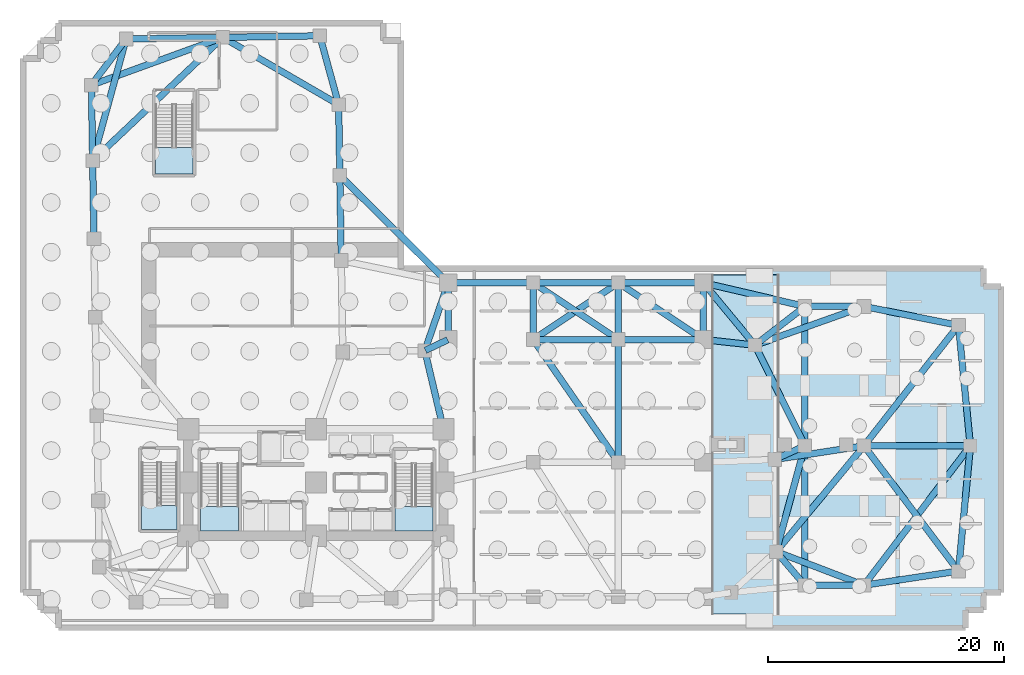
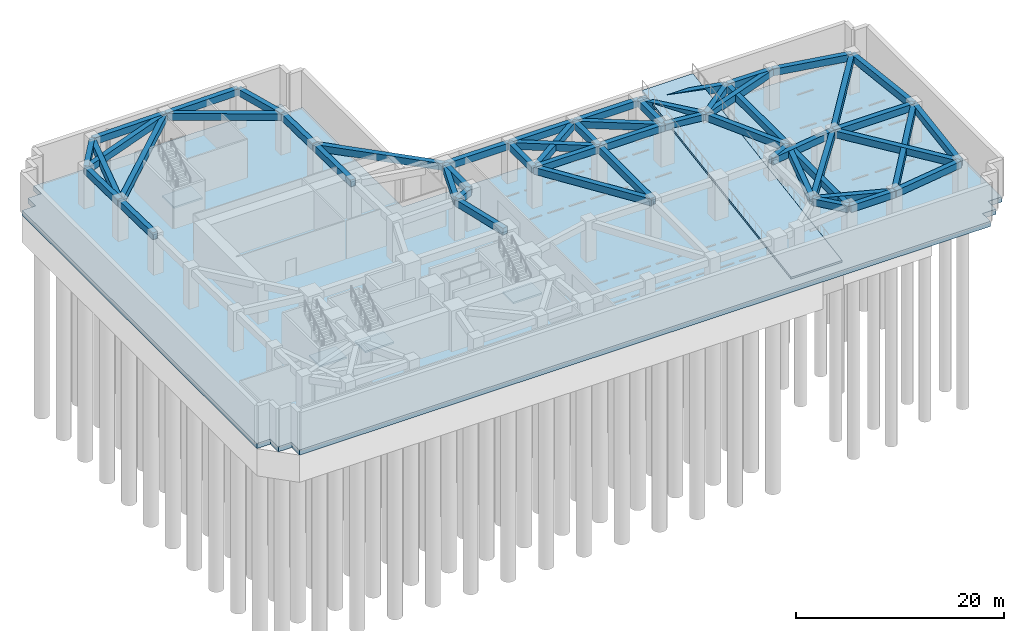
# One storey, part 3 of 11: 54 beams, 6 slabs, 4 elements without a shape of their own.
"""IFC4 building model written with IfcOpenShell, lengths in metres."""

from ifc_helpers import new_model, si_unit, direction, frame, origin, origin_2d, place, context, subcontext, project, spatial, polyline, rectangle, outline, extrude, material, layer, layer_set, material_profile, profile_set, type_object, element, aggregate, save


model = new_model("IFC4")

# Units and contexts
model_context = context("Model", 3, precision=1e-05, world=origin(), true_north=direction((0.0, 1.0)))
body_context = subcontext(model_context, "Body", "Model", "MODEL_VIEW")
ifc_project = project(units=[si_unit("LENGTHUNIT", "METRE"), si_unit("AREAUNIT", "SQUARE_METRE"), si_unit("VOLUMEUNIT", "CUBIC_METRE"), si_unit("PLANEANGLEUNIT", "RADIAN"), si_unit("MASSUNIT", "GRAM", prefix="KILO")], contexts=[model_context])

# Site, building, storey
site_placement = place(None, origin())
site = spatial("IfcSite", under=ifc_project, at=site_placement, CompositionType="ELEMENT")
building_placement = place(site_placement, origin())
building = spatial("IfcBuilding", under=site, at=building_placement, Name="Gaonmaruhae Medical Tower", CompositionType="ELEMENT")
storey_placement = place(building_placement, frame((0.0, 0.0, -9.60009765625)))
storey = spatial("IfcBuildingStorey", under=building, at=storey_placement, Name="B02", CompositionType="ELEMENT", Elevation=-9.60009765625)

# Beams
ifc_material_1 = material(Name="Concrete C50/60", Category="concrete")
ifc_material_profile = material_profile(ifc_material_1, rectangle(XDim=0.550048828125, YDim=0.800048828125, at=origin_2d()), Name="RCG-550x800")
ifc_profile_set = profile_set([ifc_material_profile], Name="Concrete C50/60")
beam_type = type_object("IfcBeamType", Name="RG-02 Basement Loop RC Girder (RCG-550x800)", PredefinedType="BEAM", material=ifc_profile_set)
beam_1_placement = place(storey_placement, frame((50.39990234375, 14.050048828125, 4.150146484375), z_axis=(0.0, 1.0, 0.0), x_axis=(-1.0, 0.0, 0.0)))
element("IfcBeam", 1, at=beam_1_placement, inside=storey, type_object=beam_type, Name="B02 Beam BM-B02-PG013", PredefinedType="BEAM", context=body_context, shape_type="SweptSolid", body=[
    extrude(rectangle(XDim=0.550048828125, YDim=0.800048828125, at=origin_2d()), origin(), (0.0, 0.0, 1.0), 10.300048828125),
])
beam_2_placement = place(storey_placement, frame((50.37158203125, 14.041015625, 4.150146484375), z_axis=(-0.569205932244, 0.822194993112, 0.0), x_axis=(-0.822194993112, -0.569205932244, 0.0)))
element("IfcBeam", 2, at=beam_2_placement, inside=storey, type_object=beam_type, Name="B02 Beam BM-B02-PG014", PredefinedType="BEAM", context=body_context, shape_type="SweptSolid", body=[
    extrude(rectangle(XDim=0.550048828125, YDim=0.800048828125, at=origin_2d()), origin(), (0.0, 0.0, 1.0), 12.549072265625),
])
beam_3_placement = place(storey_placement, frame((35.954833984375, 24.37841796875, 4.150146484375), z_axis=(-0.902607868555, -0.430463744841, 0.0), x_axis=(0.430463744841, -0.902607868555, 0.0)))
element("IfcBeam", 3, at=beam_3_placement, inside=storey, type_object=beam_type, Name="B02 Beam BM-B02-PG015", PredefinedType="BEAM", context=body_context, shape_type="SweptSolid", body=[
    extrude(rectangle(XDim=0.550048828125, YDim=0.800048828125, at=origin_2d()), origin(), (0.0, 0.0, 1.0), 2.091064453125),
])
beam_4_placement = place(storey_placement, frame((36.0, 24.449951171875, 4.150146484375), z_axis=(0.0, 1.0, 0.0), x_axis=(-1.0, 0.0, 0.0)))
element("IfcBeam", 4, at=beam_4_placement, inside=storey, type_object=beam_type, Name="B02 Beam BM-B02-PG016", PredefinedType="BEAM", context=body_context, shape_type="SweptSolid", body=[
    extrude(rectangle(XDim=0.550048828125, YDim=0.800048828125, at=origin_2d()), origin(), (0.0, 0.0, 1.0), 4.699951171875),
])
beam_5_placement = place(storey_placement, frame((57.649658203125, 24.39453125, 4.150146484375), z_axis=(0.994019545115, -0.109202307341, 0.0), x_axis=(0.109202307341, 0.994019545115, 0.0)))
element("IfcBeam", 5, at=beam_5_placement, inside=storey, type_object=beam_type, Name="B02 Beam BM-B02-PG017", PredefinedType="BEAM", context=body_context, shape_type="SweptSolid", body=[
    extrude(rectangle(XDim=0.550048828125, YDim=0.800048828125, at=origin_2d()), origin(), (0.0, 0.0, 1.0), 4.294677734375),
])
for number, where, z_axis, x_axis, name in (
    (6, (57.60009765625, 24.449951171875, 4.150146484375), (0.0, 1.0, 0.0), (-1.0, 0.0, 0.0), "B02 Beam BM-B02-PG018"),
    (7, (43.199951171875, 24.449951171875, 4.150146484375), (0.0, 1.0, 0.0), (-1.0, 0.0, 0.0), "B02 Beam BM-B02-PG019"),
):
    element("IfcBeam", number, at=place(storey_placement, frame(where, z_axis=z_axis, x_axis=x_axis)), inside=storey, type_object=beam_type, Name=name, PredefinedType="BEAM", context=body_context, shape_type="SweptSolid", body=[
        extrude(rectangle(XDim=0.550048828125, YDim=0.800048828125, at=origin_2d()), origin(), (0.0, 0.0, 1.0), 4.699951171875),
    ])
beam_6_placement = place(storey_placement, frame((43.25, 24.39990234375, 4.150146484375), z_axis=(1.0, 0.0, 0.0), x_axis=(0.0, 1.0, 0.0)))
element("IfcBeam", 8, at=beam_6_placement, inside=storey, type_object=beam_type, Name="B02 Beam BM-B02-PG020", PredefinedType="BEAM", context=body_context, shape_type="SweptSolid", body=[
    extrude(rectangle(XDim=0.550048828125, YDim=0.800048828125, at=origin_2d()), origin(), (0.0, 0.0, 1.0), 7.10009765625),
])
beam_7_placement = place(storey_placement, frame((50.39990234375, 24.449951171875, 4.150146484375), z_axis=(0.0, 1.0, 0.0), x_axis=(-1.0, 0.0, 0.0)))
element("IfcBeam", 9, at=beam_7_placement, inside=storey, type_object=beam_type, Name="B02 Beam BM-B02-PG021", PredefinedType="BEAM", context=body_context, shape_type="SweptSolid", body=[
    extrude(rectangle(XDim=0.550048828125, YDim=0.800048828125, at=origin_2d()), origin(), (0.0, 0.0, 1.0), 4.699951171875),
])
beam_8_placement = place(storey_placement, frame((50.449951171875, 24.39990234375, 4.150146484375), z_axis=(1.0, 0.0, 0.0), x_axis=(0.0, 1.0, 0.0)))
element("IfcBeam", 10, at=beam_8_placement, inside=storey, type_object=beam_type, Name="B02 Beam BM-B02-PG022", PredefinedType="BEAM", context=body_context, shape_type="SweptSolid", body=[
    extrude(rectangle(XDim=0.550048828125, YDim=0.800048828125, at=origin_2d()), origin(), (0.0, 0.0, 1.0), 7.10009765625),
])
beam_9_placement = place(storey_placement, frame((35.983642578125, 29.15283203125, 4.150146484375), z_axis=(-0.325578822882, -0.945514902099, 0.0), x_axis=(0.945514902099, -0.325578822882, 0.0)))
element("IfcBeam", 11, at=beam_9_placement, inside=storey, type_object=beam_type, Name="B02 Beam BM-B02-PG023", PredefinedType="BEAM", context=body_context, shape_type="SweptSolid", body=[
    extrude(rectangle(XDim=0.550048828125, YDim=0.800048828125, at=origin_2d()), origin(), (0.0, 0.0, 1.0), 5.97412109375),
])
beam_10_placement = place(storey_placement, frame((36.050048828125, 29.199951171875, 4.150146484375), z_axis=(1.0, 0.0, 0.0), x_axis=(0.0, 1.0, 0.0)))
element("IfcBeam", 12, at=beam_10_placement, inside=storey, type_object=beam_type, Name="B02 Beam BM-B02-PG024", PredefinedType="BEAM", context=body_context, shape_type="SweptSolid", body=[
    extrude(rectangle(XDim=0.550048828125, YDim=0.800048828125, at=origin_2d()), origin(), (0.0, 0.0, 1.0), 7.099853515625),
])
beam_11_placement = place(storey_placement, frame((57.6318359375, 29.161376953125, 4.150146484375), z_axis=(0.63748483708, -0.770462901439, 0.0), x_axis=(0.770462901439, 0.63748483708, 0.0)))
element("IfcBeam", 13, at=beam_11_placement, inside=storey, type_object=beam_type, Name="B02 Beam BM-B02-PG025", PredefinedType="BEAM", context=body_context, shape_type="SweptSolid", body=[
    extrude(rectangle(XDim=0.550048828125, YDim=0.800048828125, at=origin_2d()), origin(), (0.0, 0.0, 1.0), 6.752685546875),
])
for number, where, z_axis, x_axis, name in (
    (14, (57.550048828125, 29.199951171875, 4.150146484375), (-1.0, 0.0, 0.0), (0.0, -1.0, 0.0), "B02 Beam BM-B02-PG026"),
    (15, (43.25, 29.199951171875, 4.150146484375), (1.0, 0.0, 0.0), (0.0, 1.0, 0.0), "B02 Beam BM-B02-PG027"),
):
    element("IfcBeam", number, at=place(storey_placement, frame(where, z_axis=z_axis, x_axis=x_axis)), inside=storey, type_object=beam_type, Name=name, PredefinedType="BEAM", context=body_context, shape_type="SweptSolid", body=[
        extrude(rectangle(XDim=0.550048828125, YDim=0.800048828125, at=origin_2d()), origin(), (0.0, 0.0, 1.0), 7.10009765625),
    ])
for number, where, z_axis, x_axis, name in (
    (16, (43.24169921875, 29.17236328125, 4.150146484375), (0.832041511634, -0.554713370055, 0.0), (0.554713370055, 0.832041511634, 0.0), "B02 Beam BM-B02-PG028"),
    (17, (50.3583984375, 29.17236328125, 4.150146484375), (-0.832041511634, -0.554713370055, 0.0), (0.554713370055, -0.832041511634, 0.0), "B02 Beam BM-B02-PG029"),
    (18, (50.441650390625, 29.17236328125, 4.150146484375), (0.832041511634, -0.554713370055, 0.0), (0.554713370055, 0.832041511634, 0.0), "B02 Beam BM-B02-PG030"),
):
    element("IfcBeam", number, at=place(storey_placement, frame(where, z_axis=z_axis, x_axis=x_axis)), inside=storey, type_object=beam_type, Name=name, PredefinedType="BEAM", context=body_context, shape_type="SweptSolid", body=[
        extrude(rectangle(XDim=0.550048828125, YDim=0.800048828125, at=origin_2d()), origin(), (0.0, 0.0, 1.0), 8.55322265625),
    ])
beam_12_placement = place(storey_placement, frame((63.791015625, 6.409423828125, 4.150146484375), z_axis=(0.650934547186, -0.759133858604, 0.0), x_axis=(0.759133858604, 0.650934547186, 0.0)))
element("IfcBeam", 19, at=beam_12_placement, inside=storey, type_object=beam_type, Name="B02 Beam BM-B02-PG041", PredefinedType="BEAM", context=body_context, shape_type="SweptSolid", body=[
    extrude(rectangle(XDim=0.550048828125, YDim=0.800048828125, at=origin_2d()), origin(), (0.0, 0.0, 1.0), 3.65087890625),
])
beam_13_placement = place(storey_placement, frame((63.6748046875, 14.266845703125, 4.150146484375), z_axis=(0.912331175538, 0.409453081735, 0.0), x_axis=(-0.409453081735, 0.912331175538, 0.0)))
element("IfcBeam", 20, at=beam_13_placement, inside=storey, type_object=beam_type, Name="B02 Beam BM-B02-PG043", PredefinedType="BEAM", context=body_context, shape_type="SweptSolid", body=[
    extrude(rectangle(XDim=0.550048828125, YDim=0.800048828125, at=origin_2d()), origin(), (0.0, 0.0, 1.0), 2.7177734375),
])
beam_14_placement = place(storey_placement, frame((63.678466796875, 14.25390625, 4.150146484375), z_axis=(0.988587276062, 0.150649253596, 0.0), x_axis=(-0.150649253596, 0.988587276062, 0.0)))
element("IfcBeam", 21, at=beam_14_placement, inside=storey, type_object=beam_type, Name="B02 Beam BM-B02-PG044", PredefinedType="BEAM", context=body_context, shape_type="SweptSolid", body=[
    extrude(rectangle(XDim=0.550048828125, YDim=0.800048828125, at=origin_2d()), origin(), (0.0, 0.0, 1.0), 7.558349609375),
])
beam_15_placement = place(storey_placement, frame((62.008056640625, 23.950927734375, 4.150146484375), z_axis=(0.790374549581, 0.612623923279, 0.0), x_axis=(-0.612623923279, 0.790374549581, 0.0)))
element("IfcBeam", 22, at=beam_15_placement, inside=storey, type_object=beam_type, Name="B02 Beam BM-B02-PG045", PredefinedType="BEAM", context=body_context, shape_type="SweptSolid", body=[
    extrude(rectangle(XDim=0.550048828125, YDim=0.800048828125, at=origin_2d()), origin(), (0.0, 0.0, 1.0), 5.253662109375),
])
beam_16_placement = place(storey_placement, frame((61.99072265625, 23.87548828125, 4.150146484375), z_axis=(0.444805100876, -0.895627390288, 0.0), x_axis=(0.895627390288, 0.444805100876, 0.0)))
element("IfcBeam", 23, at=beam_16_placement, inside=storey, type_object=beam_type, Name="B02 Beam BM-B02-PG046", PredefinedType="BEAM", context=body_context, shape_type="SweptSolid", body=[
    extrude(rectangle(XDim=0.550048828125, YDim=0.800048828125, at=origin_2d()), origin(), (0.0, 0.0, 1.0), 9.4130859375),
])
beam_17_placement = place(storey_placement, frame((34.033935546875, 23.408203125, 4.150146484375), z_axis=(0.230587307936, -0.973051639647, 0.0), x_axis=(0.973051639647, 0.230587307936, 0.0)))
element("IfcBeam", 24, at=beam_17_placement, inside=storey, type_object=beam_type, Name="B02 Beam BM-B02-PG047", PredefinedType="BEAM", context=body_context, shape_type="SweptSolid", body=[
    extrude(rectangle(XDim=0.550048828125, YDim=0.800048828125, at=origin_2d()), origin(), (0.0, 0.0, 1.0), 6.7412109375),
])
beam_18_placement = place(storey_placement, frame((26.944091796875, 31.140380859375, 4.150146484375), z_axis=(-0.016608204893, 0.999862074253, 0.0), x_axis=(-0.999862074253, -0.016608204893, 0.0)))
element("IfcBeam", 25, at=beam_18_placement, inside=storey, type_object=beam_type, Name="B02 Beam BM-B02-PG051", PredefinedType="BEAM", context=body_context, shape_type="SweptSolid", body=[
    extrude(rectangle(XDim=0.550048828125, YDim=0.800048828125, at=origin_2d()), origin(), (0.0, 0.0, 1.0), 7.10009765625),
])
beam_19_placement = place(storey_placement, frame((26.824462890625, 38.339599609375, 4.150146484375), z_axis=(-0.016551967997, 0.999863006794, 0.0), x_axis=(-0.999863006794, -0.016551967997, 0.0)))
element("IfcBeam", 26, at=beam_19_placement, inside=storey, type_object=beam_type, Name="B02 Beam BM-B02-PG053", PredefinedType="BEAM", context=body_context, shape_type="SweptSolid", body=[
    extrude(rectangle(XDim=0.550048828125, YDim=0.800048828125, at=origin_2d()), origin(), (0.0, 0.0, 1.0), 5.89990234375),
])
beam_20_placement = place(storey_placement, frame((26.86083984375, 38.25439453125, 4.150146484375), z_axis=(0.710394933366, -0.703803267005, 0.0), x_axis=(0.703803267005, 0.710394933366, 0.0)))
element("IfcBeam", 27, at=beam_20_placement, inside=storey, type_object=beam_type, Name="B02 Beam BM-B02-PG054", PredefinedType="BEAM", context=body_context, shape_type="SweptSolid", body=[
    extrude(rectangle(XDim=0.550048828125, YDim=0.800048828125, at=origin_2d()), origin(), (0.0, 0.0, 1.0), 12.815185546875),
])
beam_21_placement = place(storey_placement, frame((26.712646484375, 44.3369140625, 4.150146484375), z_axis=(-0.264400662099, 0.964412924987, 0.0), x_axis=(-0.964412924987, -0.264400662099, 0.0)))
element("IfcBeam", 28, at=beam_21_placement, inside=storey, type_object=beam_type, Name="B02 Beam BM-B02-PG055", PredefinedType="BEAM", context=body_context, shape_type="SweptSolid", body=[
    extrude(rectangle(XDim=0.550048828125, YDim=0.800048828125, at=origin_2d()), origin(), (0.0, 0.0, 1.0), 5.939208984375),
])
beam_22_placement = place(storey_placement, frame((26.6826171875, 44.313720703125, 4.150146484375), z_axis=(-0.864761531189, 0.502182729865, 0.0), x_axis=(-0.502182729865, -0.864761531189, 0.0)))
element("IfcBeam", 29, at=beam_22_placement, inside=storey, type_object=beam_type, Name="B02 Beam BM-B02-PG056", PredefinedType="BEAM", context=body_context, shape_type="SweptSolid", body=[
    extrude(rectangle(XDim=0.550048828125, YDim=0.800048828125, at=origin_2d()), origin(), (0.0, 0.0, 1.0), 11.227294921875),
])
for number, where, z_axis, x_axis, name in (
    (30, (25.0791015625, 50.112060546875, 4.150146484375), (-0.999863083435, -0.016547337678, 0.0), (0.016547337678, -0.999863083435, 0.0), "B02 Beam BM-B02-PG057"),
    (31, (16.88037109375, 49.976318359375, 4.150146484375), (-0.999862584298, -0.016577470273, 0.0), (0.016577470273, -0.999862584298, 0.0), "B02 Beam BM-B02-PG058"),
):
    element("IfcBeam", number, at=place(storey_placement, frame(where, z_axis=z_axis, x_axis=x_axis)), inside=storey, type_object=beam_type, Name=name, PredefinedType="BEAM", context=body_context, shape_type="SweptSolid", body=[
        extrude(rectangle(XDim=0.550048828125, YDim=0.800048828125, at=origin_2d()), origin(), (0.0, 0.0, 1.0), 8.10009765625),
    ])
beam_23_placement = place(storey_placement, frame((16.88330078125, 49.9599609375, 4.150146484375), z_axis=(-0.940171612952, -0.340701244788, 0.0), x_axis=(0.340701244788, -0.940171612952, 0.0)))
element("IfcBeam", 32, at=beam_23_placement, inside=storey, type_object=beam_type, Name="B02 Beam BM-B02-PG059", PredefinedType="BEAM", context=body_context, shape_type="SweptSolid", body=[
    extrude(rectangle(XDim=0.550048828125, YDim=0.800048828125, at=origin_2d()), origin(), (0.0, 0.0, 1.0), 11.743408203125),
])
beam_24_placement = place(storey_placement, frame((8.701416015625, 49.80126953125, 4.150146484375), z_axis=(-0.601502313354, -0.798871057824, 0.0), x_axis=(0.798871057824, -0.601502313354, 0.0)))
element("IfcBeam", 33, at=beam_24_placement, inside=storey, type_object=beam_type, Name="B02 Beam BM-B02-PG060", PredefinedType="BEAM", context=body_context, shape_type="SweptSolid", body=[
    extrude(rectangle(XDim=0.550048828125, YDim=0.800048828125, at=origin_2d()), origin(), (0.0, 0.0, 1.0), 4.781005859375),
])
beam_25_placement = place(storey_placement, frame((8.71826171875, 49.79296875, 4.150146484375), z_axis=(-0.264954280581, -0.964260975671, 0.0), x_axis=(0.964260975671, -0.264954280581, 0.0)))
element("IfcBeam", 34, at=beam_25_placement, inside=storey, type_object=beam_type, Name="B02 Beam BM-B02-PG061", PredefinedType="BEAM", context=body_context, shape_type="SweptSolid", body=[
    extrude(rectangle(XDim=0.550048828125, YDim=0.800048828125, at=origin_2d()), origin(), (0.0, 0.0, 1.0), 10.580078125),
])
beam_26_placement = place(storey_placement, frame((5.79638671875, 45.891845703125, 4.150146484375), z_axis=(0.016586222393, -0.999862439152, 0.0), x_axis=(0.999862439152, 0.016586222393, 0.0)))
element("IfcBeam", 35, at=beam_26_placement, inside=storey, type_object=beam_type, Name="B02 Beam BM-B02-PG062", PredefinedType="BEAM", context=body_context, shape_type="SweptSolid", body=[
    extrude(rectangle(XDim=0.550048828125, YDim=0.800048828125, at=origin_2d()), origin(), (0.0, 0.0, 1.0), 6.300048828125),
])
beam_27_placement = place(storey_placement, frame((5.902587890625, 39.492919921875, 4.150146484375), z_axis=(0.016563596449, -0.999862814226, 0.0), x_axis=(0.999862814226, 0.016563596449, 0.0)))
element("IfcBeam", 36, at=beam_27_placement, inside=storey, type_object=beam_type, Name="B02 Beam BM-B02-PG063", PredefinedType="BEAM", context=body_context, shape_type="SweptSolid", body=[
    extrude(rectangle(XDim=0.550048828125, YDim=0.800048828125, at=origin_2d()), origin(), (0.0, 0.0, 1.0), 6.500244140625),
])
beam_28_placement = place(storey_placement, frame((5.938232421875, 39.5771484375, 4.150146484375), z_axis=(0.726406385449, 0.687265424111, 0.0), x_axis=(-0.687265424111, 0.726406385449, 0.0)))
element("IfcBeam", 37, at=beam_28_placement, inside=storey, type_object=beam_type, Name="B02 Beam BM-B02-PG064", PredefinedType="BEAM", context=body_context, shape_type="SweptSolid", body=[
    extrude(rectangle(XDim=0.550048828125, YDim=0.800048828125, at=origin_2d()), origin(), (0.0, 0.0, 1.0), 15.082275390625),
])
beam_29_placement = place(storey_placement, frame((66.25, 3.60009765625, 4.150146484375), z_axis=(1.0, 0.0, 0.0), x_axis=(0.0, 1.0, 0.0)))
element("IfcBeam", 38, at=beam_29_placement, inside=storey, type_object=beam_type, Name="B02 Beam BM-B02-PG074", PredefinedType="BEAM", context=body_context, shape_type="SweptSolid", body=[
    extrude(rectangle(XDim=0.550048828125, YDim=0.800048828125, at=origin_2d()), origin(), (0.0, 0.0, 1.0), 4.89990234375),
])
beam_30_placement = place(storey_placement, frame((66.199951171875, 3.64990234375, 4.150146484375), z_axis=(0.0, 1.0, 0.0), x_axis=(-1.0, 0.0, 0.0)))
element("IfcBeam", 39, at=beam_30_placement, inside=storey, type_object=beam_type, Name="B02 Beam BM-B02-PG075", PredefinedType="BEAM", context=body_context, shape_type="SweptSolid", body=[
    extrude(rectangle(XDim=0.550048828125, YDim=0.800048828125, at=origin_2d()), origin(), (0.0, 0.0, 1.0), 11.7001953125),
])
beam_31_placement = place(storey_placement, frame((71.1533203125, 3.617919921875, 4.150146484375), z_axis=(-0.933959250305, 0.357379516438, 0.0), x_axis=(-0.357379516438, -0.933959250305, 0.0)))
element("IfcBeam", 40, at=beam_31_placement, inside=storey, type_object=beam_type, Name="B02 Beam BM-B02-PG076", PredefinedType="BEAM", context=body_context, shape_type="SweptSolid", body=[
    extrude(rectangle(XDim=0.550048828125, YDim=0.800048828125, at=origin_2d()), origin(), (0.0, 0.0, 1.0), 7.86767578125),
])
beam_32_placement = place(storey_placement, frame((71.24951171875, 3.607421875, 4.150146484375), z_axis=(0.988938370032, 0.148327004546, 0.0), x_axis=(-0.148327004546, 0.988938370032, 0.0)))
element("IfcBeam", 41, at=beam_32_placement, inside=storey, type_object=beam_type, Name="B02 Beam BM-B02-PG077", PredefinedType="BEAM", context=body_context, shape_type="SweptSolid", body=[
    extrude(rectangle(XDim=0.550048828125, YDim=0.800048828125, at=origin_2d()), origin(), (0.0, 0.0, 1.0), 7.989501953125),
])
beam_33_placement = place(storey_placement, frame((66.186767578125, 15.351806640625, 4.150146484375), z_axis=(-0.263119656269, -0.964763207469, 0.0), x_axis=(0.964763207469, -0.263119656269, 0.0)))
element("IfcBeam", 42, at=beam_33_placement, inside=storey, type_object=beam_type, Name="B02 Beam BM-B02-PG078", PredefinedType="BEAM", context=body_context, shape_type="SweptSolid", body=[
    extrude(rectangle(XDim=0.550048828125, YDim=0.800048828125, at=origin_2d()), origin(), (0.0, 0.0, 1.0), 9.179443359375),
])
beam_34_placement = place(storey_placement, frame((66.199951171875, 15.449951171875, 4.150146484375), z_axis=(0.0, 1.0, 0.0), x_axis=(-1.0, 0.0, 0.0)))
element("IfcBeam", 43, at=beam_34_placement, inside=storey, type_object=beam_type, Name="B02 Beam BM-B02-PG079", PredefinedType="BEAM", context=body_context, shape_type="SweptSolid", body=[
    extrude(rectangle(XDim=0.550048828125, YDim=0.800048828125, at=origin_2d()), origin(), (0.0, 0.0, 1.0), 11.699951171875),
])
beam_35_placement = place(storey_placement, frame((71.25, 15.39990234375, 4.150146484375), z_axis=(1.0, 0.0, 0.0), x_axis=(0.0, 1.0, 0.0)))
element("IfcBeam", 44, at=beam_35_placement, inside=storey, type_object=beam_type, Name="B02 Beam BM-B02-PG080", PredefinedType="BEAM", context=body_context, shape_type="SweptSolid", body=[
    extrude(rectangle(XDim=0.550048828125, YDim=0.800048828125, at=origin_2d()), origin(), (0.0, 0.0, 1.0), 8.89990234375),
])
beam_36_placement = place(storey_placement, frame((71.16796875, 15.361572265625, 4.150146484375), z_axis=(-0.639224730156, -0.76901998957, 0.0), x_axis=(0.76901998957, -0.639224730156, 0.0)))
element("IfcBeam", 45, at=beam_36_placement, inside=storey, type_object=beam_type, Name="B02 Beam BM-B02-PG081", PredefinedType="BEAM", context=body_context, shape_type="SweptSolid", body=[
    extrude(rectangle(XDim=0.550048828125, YDim=0.800048828125, at=origin_2d()), origin(), (0.0, 0.0, 1.0), 11.54150390625),
])
beam_37_placement = place(storey_placement, frame((66.25, 27.199951171875, 4.150146484375), z_axis=(1.0, 0.0, 0.0), x_axis=(0.0, 1.0, 0.0)))
element("IfcBeam", 46, at=beam_37_placement, inside=storey, type_object=beam_type, Name="B02 Beam BM-B02-PG082", PredefinedType="BEAM", context=body_context, shape_type="SweptSolid", body=[
    extrude(rectangle(XDim=0.550048828125, YDim=0.800048828125, at=origin_2d()), origin(), (0.0, 0.0, 1.0), 4.89990234375),
])
beam_38_placement = place(storey_placement, frame((66.1513671875, 27.21142578125, 4.150146484375), z_axis=(-0.974009892436, 0.226505473306, 0.0), x_axis=(-0.226505473306, -0.974009892436, 0.0)))
element("IfcBeam", 47, at=beam_38_placement, inside=storey, type_object=beam_type, Name="B02 Beam BM-B02-PG083", PredefinedType="BEAM", context=body_context, shape_type="SweptSolid", body=[
    extrude(rectangle(XDim=0.550048828125, YDim=0.800048828125, at=origin_2d()), origin(), (0.0, 0.0, 1.0), 8.7294921875),
])
beam_39_placement = place(storey_placement, frame((71.2490234375, 27.190185546875, 4.150146484375), z_axis=(0.98058184093, -0.196110308853, 0.0), x_axis=(0.196110308853, 0.98058184093, 0.0)))
element("IfcBeam", 48, at=beam_39_placement, inside=storey, type_object=beam_type, Name="B02 Beam BM-B02-PG084", PredefinedType="BEAM", context=body_context, shape_type="SweptSolid", body=[
    extrude(rectangle(XDim=0.550048828125, YDim=0.800048828125, at=origin_2d()), origin(), (0.0, 0.0, 1.0), 8.058349609375),
])
beam_40_placement = place(storey_placement, frame((71.15283203125, 27.183349609375, 4.150146484375), z_axis=(-0.942294313395, -0.334785643275, 0.0), x_axis=(0.334785643275, -0.942294313395, 0.0)))
element("IfcBeam", 49, at=beam_40_placement, inside=storey, type_object=beam_type, Name="B02 Beam BM-B02-PG085", PredefinedType="BEAM", context=body_context, shape_type="SweptSolid", body=[
    extrude(rectangle(XDim=0.550048828125, YDim=0.800048828125, at=origin_2d()), origin(), (0.0, 0.0, 1.0), 9.69677734375),
])
beam_41_placement = place(storey_placement, frame((79.20458984375, 4.849853515625, 4.150146484375), z_axis=(0.093932984059, 0.995578522521, 0.0), x_axis=(-0.995578522521, 0.093932984059, 0.0)))
element("IfcBeam", 50, at=beam_41_placement, inside=storey, type_object=beam_type, Name="B02 Beam BM-B02-PG086", PredefinedType="BEAM", context=body_context, shape_type="SweptSolid", body=[
    extrude(rectangle(XDim=0.550048828125, YDim=0.800048828125, at=origin_2d()), origin(), (0.0, 0.0, 1.0), 10.547119140625),
])
beam_42_placement = place(storey_placement, frame((79.169921875, 4.83984375, 4.150146484375), z_axis=(-0.602400893863, 0.798193687693, 0.0), x_axis=(-0.798193687693, -0.602400893863, 0.0)))
element("IfcBeam", 51, at=beam_42_placement, inside=storey, type_object=beam_type, Name="B02 Beam BM-B02-PG087", PredefinedType="BEAM", context=body_context, shape_type="SweptSolid", body=[
    extrude(rectangle(XDim=0.550048828125, YDim=0.800048828125, at=origin_2d()), origin(), (0.0, 0.0, 1.0), 13.18017578125),
])
beam_43_placement = place(storey_placement, frame((80.195068359375, 15.44970703125, 4.150146484375), z_axis=(-0.097569555279, 0.995228708329, 0.0), x_axis=(-0.995228708329, -0.097569555279, 0.0)))
element("IfcBeam", 52, at=beam_43_placement, inside=storey, type_object=beam_type, Name="B02 Beam BM-B02-PG088", PredefinedType="BEAM", context=body_context, shape_type="SweptSolid", body=[
    extrude(rectangle(XDim=0.550048828125, YDim=0.800048828125, at=origin_2d()), origin(), (0.0, 0.0, 1.0), 10.14892578125),
])
beam_44_placement = place(storey_placement, frame((80.169677734375, 15.3603515625, 4.150146484375), z_axis=(-0.606446336319, -0.79512441867, 0.0), x_axis=(0.79512441867, -0.606446336319, 0.0)))
element("IfcBeam", 53, at=beam_44_placement, inside=storey, type_object=beam_type, Name="B02 Beam BM-B02-PG089", PredefinedType="BEAM", context=body_context, shape_type="SweptSolid", body=[
    extrude(rectangle(XDim=0.550048828125, YDim=0.800048828125, at=origin_2d()), origin(), (0.0, 0.0, 1.0), 14.74072265625),
])
beam_45_placement = place(storey_placement, frame((79.169189453125, 25.560546875, 4.150146484375), z_axis=(-0.617145695681, -0.786848899282, 0.0), x_axis=(0.786848899282, -0.617145695681, 0.0)))
element("IfcBeam", 54, at=beam_45_placement, inside=storey, type_object=beam_type, Name="B02 Beam BM-B02-PG090", PredefinedType="BEAM", context=body_context, shape_type="SweptSolid", body=[
    extrude(rectangle(XDim=0.550048828125, YDim=0.800048828125, at=origin_2d()), origin(), (0.0, 0.0, 1.0), 12.86279296875),
])

# Slab
ifc_material_2 = material(Name="Concrete C40/50", Category="concrete")
ifc_layer_1 = layer(ifc_material_2, 0.60009765625)
ifc_layer_set_1 = layer_set([ifc_layer_1], Name="Concrete C40/50")
slab_type_1 = type_object("IfcSlabType", Name="BS-600 Podium Structural Base Slab", PredefinedType="BASESLAB", material=ifc_layer_set_1)
slab_1_placement = place(storey_placement, frame((0.0, 0.0, -0.599853515625)))
element("IfcSlab", 55, at=slab_1_placement, inside=storey, type_object=slab_type_1, Name="B02 East Podium Structural Base Slab", PredefinedType="BASESLAB", context=body_context, shape_type="SweptSolid", body=[
    extrude(outline(polyline([(3.0, 0.0), (79.800048828125, 0.0), (79.800048828125, 1.5), (81.300048828125, 1.5), (81.300048828125, 3.0), (82.800048828125, 3.0), (82.800048828125, 28.89990234375), (81.300048828125, 28.89990234375), (81.300048828125, 30.39990234375), (32.0, 30.39990234375), (32.0, 49.699951171875), (30.5, 49.699951171875), (30.5, 51.199951171875), (3.0, 51.199951171875), (3.0, 49.699951171875), (1.5, 49.699951171875), (1.5, 48.199951171875), (0.0, 48.199951171875), (0.0, 3.0), (1.5, 3.0), (1.5, 1.5), (3.0, 1.5), (3.0, 0.0)])), origin(), (0.0, 0.0, 1.0), 0.599853515625),
])

# Stair, slab
stair_type_1 = type_object("IfcStairType", Name="ST-T1 Primary Core Escape Dogleg Stair", PredefinedType="TWO_QUARTER_TURN_STAIR", material=ifc_material_2)
stair_1_placement = place(storey_placement, origin())
stair_1 = element("IfcStair", 56, at=stair_1_placement, inside=storey, type_object=stair_type_1, Name="B02 Protected Escape Stair ST-01", PredefinedType="TWO_QUARTER_TURN_STAIR")
ifc_layer_2 = layer(ifc_material_2, 0.199951171875)
ifc_layer_set_2 = layer_set([ifc_layer_2], Name="Concrete C40/50")
slab_type_2 = type_object("IfcSlabType", Name="SL-200 Stair & Ramp Intermediate Concrete Landing", PredefinedType="LANDING", material=ifc_layer_set_2)
slab_2_placement = place(storey_placement, frame((0.0, 0.0, 2.2001953125)))
slab_2 = element("IfcSlab", 57, at=slab_2_placement, type_object=slab_type_2, Name="ST-01 landing 1", PredefinedType="LANDING", context=body_context, shape_type="SweptSolid", body=[
    extrude(outline(polyline([(15.050048828125, 10.260009765625), (15.050048828125, 8.2041015625), (18.25, 8.2041015625), (18.25, 10.260009765625), (15.050048828125, 10.260009765625)])), origin(), (0.0, 0.0, 1.0), 0.199951171875),
])
aggregate(stair_1, [slab_2])

stair_2_placement = place(storey_placement, origin())
stair_2 = element("IfcStair", 58, at=stair_2_placement, inside=storey, type_object=stair_type_1, Name="B02 Protected Escape Stair ST-02", PredefinedType="TWO_QUARTER_TURN_STAIR")
slab_3_placement = place(storey_placement, frame((0.0, 0.0, 2.2001953125)))
slab_3 = element("IfcSlab", 59, at=slab_3_placement, type_object=slab_type_2, Name="ST-02 landing 1", PredefinedType="LANDING", context=body_context, shape_type="SweptSolid", body=[
    extrude(outline(polyline([(31.5, 10.260009765625), (31.5, 8.2041015625), (34.699951171875, 8.2041015625), (34.699951171875, 10.260009765625), (31.5, 10.260009765625)])), origin(), (0.0, 0.0, 1.0), 0.199951171875),
])
aggregate(stair_2, [slab_3])

stair_type_2 = type_object("IfcStairType", Name="ST-T2 Zone 1 Escape Dogleg Stair", PredefinedType="TWO_QUARTER_TURN_STAIR", material=ifc_material_2)
stair_3_placement = place(storey_placement, origin())
stair_3 = element("IfcStair", 60, at=stair_3_placement, inside=storey, type_object=stair_type_2, Name="B02 Protected Escape Stair ST-03", PredefinedType="TWO_QUARTER_TURN_STAIR")
slab_4_placement = place(storey_placement, frame((0.0, 0.0, 2.2001953125)))
slab_4 = element("IfcSlab", 61, at=slab_4_placement, type_object=slab_type_2, Name="ST-03 landing 1", PredefinedType="LANDING", context=body_context, shape_type="SweptSolid", body=[
    extrude(outline(polyline([(10.050048828125, 10.360107421875), (10.050048828125, 8.300048828125), (13.050048828125, 8.300048828125), (13.050048828125, 10.360107421875), (10.050048828125, 10.360107421875)])), origin(), (0.0, 0.0, 1.0), 0.199951171875),
])
aggregate(stair_3, [slab_4])

stair_type_3 = type_object("IfcStairType", Name="ST-T3 Podium Escape Dogleg Stair", PredefinedType="TWO_QUARTER_TURN_STAIR", material=ifc_material_2)
stair_4_placement = place(storey_placement, origin())
stair_4 = element("IfcStair", 62, at=stair_4_placement, inside=storey, type_object=stair_type_3, Name="B02 Protected Escape Stair ST-05", PredefinedType="TWO_QUARTER_TURN_STAIR")
slab_5_placement = place(storey_placement, frame((0.0, 0.0, 2.2001953125)))
slab_5 = element("IfcSlab", 63, at=slab_5_placement, type_object=slab_type_2, Name="ST-05 landing 1", PredefinedType="LANDING", context=body_context, shape_type="SweptSolid", body=[
    extrude(outline(polyline([(11.199951171875, 40.659912109375), (11.199951171875, 38.39990234375), (14.39990234375, 38.39990234375), (14.39990234375, 40.659912109375), (11.199951171875, 40.659912109375)])), origin(), (0.0, 0.0, 1.0), 0.199951171875),
])
aggregate(stair_4, [slab_5])

# Slab
ifc_layer_3 = layer(ifc_material_2, 0.239990234375)
ifc_layer_set_3 = layer_set([ifc_layer_3], Name="Concrete C40/50")
slab_type_3 = type_object("IfcSlabType", Name="VRS-240 Structural Vehicle Ramp Slab", PredefinedType="FLOOR", material=ifc_layer_set_3)
slab_6_placement = place(storey_placement, frame((58.320068359375, 1.14990234375, 0.2451171875), z_axis=(0.0, -0.156475181492, 0.987681890882), x_axis=(1.0, 0.0, 0.0)))
element("IfcSlab", 64, at=slab_6_placement, inside=storey, type_object=slab_type_3, Name="B02 Structural Vehicle Ramp Slab VR1", PredefinedType="FLOOR", context=body_context, shape_type="SweptSolid", body=[
    extrude(outline(polyline([(0.0, 0.0), (5.659912109375, 0.0), (5.659912109375, 29.07840581960228), (0.0, 29.07840581960228), (0.0, 0.0)])), origin(), (0.0, 0.0, -1.0), 0.239990234375),
])

save(model, "model.ifc")
